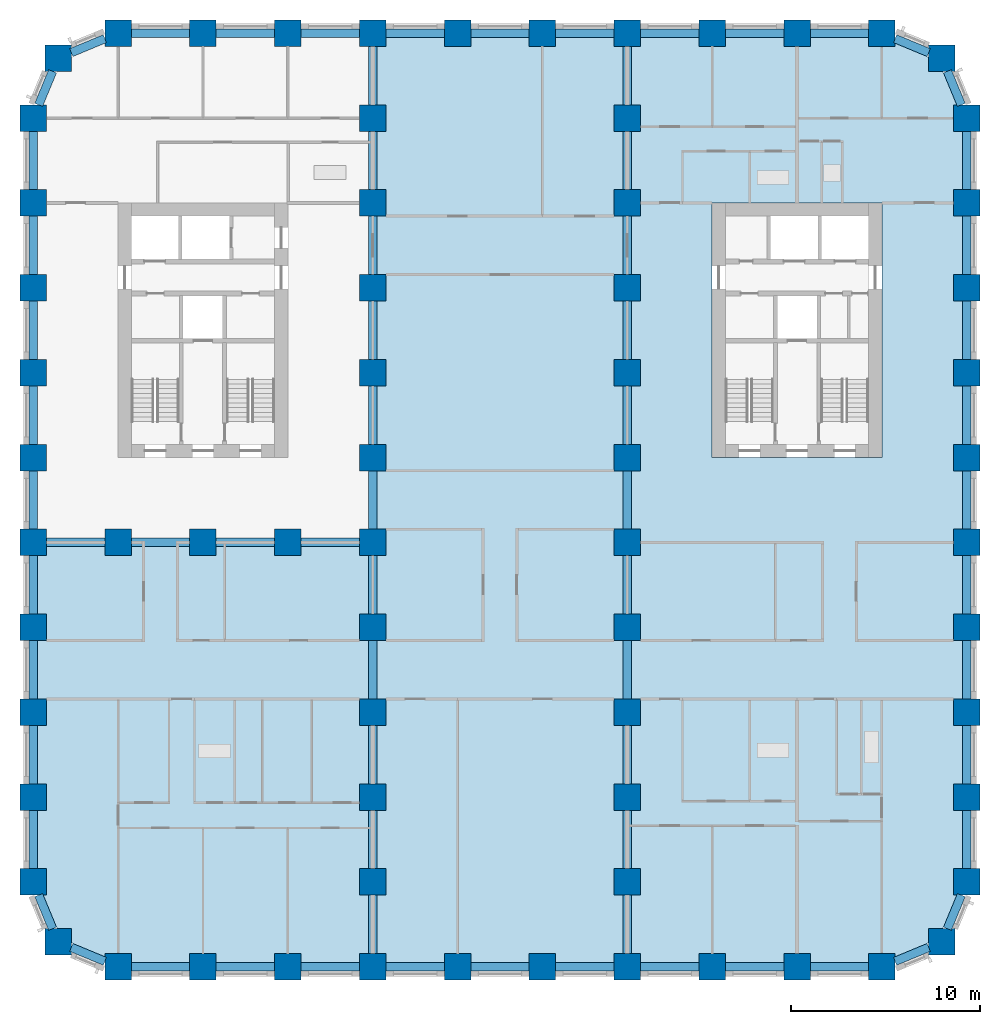
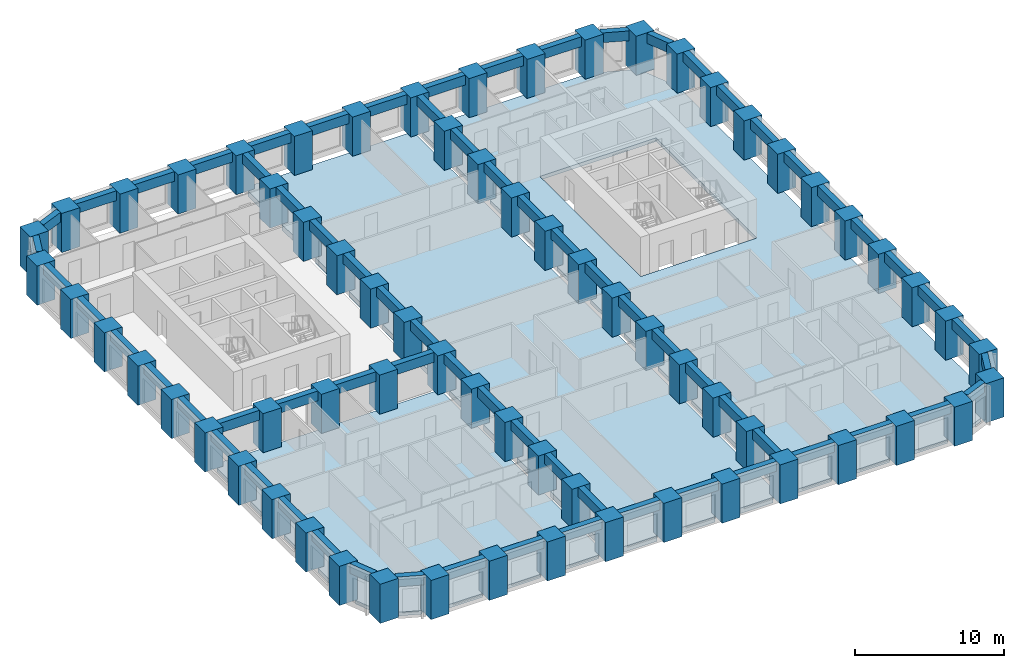
# One storey, part 1 of 12: 70 beams, 67 columns, 3 slabs.
"""IFC4 building model written with IfcOpenShell, lengths in metres."""

from ifc_helpers import new_model, si_unit, direction, frame, origin, origin_2d, place, context, subcontext, project, spatial, polyline, rectangle, outline, extrude, material, layer, layer_set, material_profile, profile_set, type_object, element, save


model = new_model("IFC4")

# Units and contexts
model_context = context("Model", 3, precision=1e-05, world=origin(), true_north=direction((0.0, 1.0)))
body_context = subcontext(model_context, "Body", "Model", "MODEL_VIEW")
ifc_project = project(units=[si_unit("LENGTHUNIT", "METRE"), si_unit("AREAUNIT", "SQUARE_METRE"), si_unit("VOLUMEUNIT", "CUBIC_METRE"), si_unit("PLANEANGLEUNIT", "RADIAN"), si_unit("MASSUNIT", "GRAM", prefix="KILO")], contexts=[model_context])

# Site, building, storey
site_placement = place(None, origin())
site = spatial("IfcSite", under=ifc_project, at=site_placement, CompositionType="ELEMENT")
building_placement = place(site_placement, origin())
building = spatial("IfcBuilding", under=site, at=building_placement, Name="Girih Gate Residences", CompositionType="ELEMENT")
storey_placement = place(building_placement, frame((0.0, 0.0, 65.60009765625)))
storey = spatial("IfcBuildingStorey", under=building, at=storey_placement, Name="L17", CompositionType="ELEMENT", Elevation=65.60009765625)

# Columns
ifc_material_1 = material(Name="Concrete C80/95", Category="concrete")
ifc_material_profile_1 = material_profile(ifc_material_1, rectangle(XDim=1.39990234375, YDim=1.39990234375, at=origin_2d()))
ifc_profile_set_1 = profile_set([ifc_material_profile_1], Name="Concrete C80/95")
column_type = type_object("IfcColumnType", Name="Pier RC 1400x1400 Concrete C80/95", PredefinedType="COLUMN", material=ifc_profile_set_1)
for number, where, z_axis, x_axis, name in (
    (1, (4.5, 0.0, 0.0), (0.0, 0.0, 1.0), (1.0, 0.0, 0.0), "Pier P2A L17"),
    (2, (9.0, 0.0, 0.0), (0.0, 0.0, 1.0), (1.0, 0.0, 0.0), "Pier P3A L17"),
    (3, (13.5, 0.0, 0.0), (0.0, 0.0, 1.0), (1.0, 0.0, 0.0), "Pier P4A L17"),
    (4, (18.0, 0.0, 0.0), (0.0, 0.0, 1.0), (1.0, 0.0, 0.0), "Pier P5A L17"),
    (5, (22.5, 0.0, 0.0), (0.0, 0.0, 1.0), (1.0, 0.0, 0.0), "Pier P6A L17"),
    (6, (27.0, 0.0, 0.0), (0.0, 0.0, 1.0), (1.0, 0.0, 0.0), "Pier P7A L17"),
    (7, (31.5, 0.0, 0.0), (0.0, 0.0, 1.0), (1.0, 0.0, 0.0), "Pier P8A L17"),
    (8, (36.0, 0.0, 0.0), (0.0, 0.0, 1.0), (1.0, 0.0, 0.0), "Pier P9A L17"),
    (9, (40.5, 0.0, 0.0), (0.0, 0.0, 1.0), (1.0, 0.0, 0.0), "Pier P10A L17"),
    (10, (45.0, 0.0, 0.0), (0.0, 0.0, 1.0), (1.0, 0.0, 0.0), "Pier P11A L17"),
    (11, (1.318115234375, 1.318115234375, 0.0), (0.0, 0.0, 1.0), (1.0, 0.0, 0.0), "Pier P1ANE L17"),
    (12, (48.181884765625, 1.318115234375, 0.0), (0.0, 0.0, 1.0), (1.0, 0.0, 0.0), "Pier P12ANW L17"),
    (13, (0.0, 4.5, 0.0), (0.0, 0.0, 1.0), (1.0, 0.0, 0.0), "Pier P1B L17"),
    (14, (18.0, 4.5, 0.0), (0.0, 0.0, 1.0), (1.0, 0.0, 0.0), "Pier P5B L17"),
    (15, (31.5, 4.5, 0.0), (0.0, 0.0, 1.0), (1.0, 0.0, 0.0), "Pier P8B L17"),
    (16, (49.5, 4.5, 0.0), (0.0, 0.0, 1.0), (1.0, 0.0, 0.0), "Pier P12B L17"),
    (17, (0.0, 9.0, 0.0), (0.0, 0.0, 1.0), (1.0, 0.0, 0.0), "Pier P1C L17"),
    (18, (18.0, 9.0, 0.0), (0.0, 0.0, 1.0), (1.0, 0.0, 0.0), "Pier P5C L17"),
    (19, (31.5, 9.0, 0.0), (0.0, 0.0, 1.0), (1.0, 0.0, 0.0), "Pier P8C L17"),
    (20, (49.5, 9.0, 0.0), (0.0, 0.0, 1.0), (1.0, 0.0, 0.0), "Pier P12C L17"),
    (21, (0.0, 13.5, 0.0), (0.0, 0.0, 1.0), (1.0, 0.0, 0.0), "Pier P1D L17"),
    (22, (18.0, 13.5, 0.0), (0.0, 0.0, 1.0), (1.0, 0.0, 0.0), "Pier P5D L17"),
    (23, (31.5, 13.5, 0.0), (0.0, 0.0, 1.0), (1.0, 0.0, 0.0), "Pier P8D L17"),
    (24, (49.5, 13.5, 0.0), (0.0, 0.0, 1.0), (1.0, 0.0, 0.0), "Pier P12D L17"),
    (25, (0.0, 18.0, 0.0), (0.0, 0.0, 1.0), (1.0, 0.0, 0.0), "Pier P1E L17"),
    (26, (18.0, 18.0, 0.0), (0.0, 0.0, 1.0), (1.0, 0.0, 0.0), "Pier P5E L17"),
    (27, (31.5, 18.0, 0.0), (0.0, 0.0, 1.0), (1.0, 0.0, 0.0), "Pier P8E L17"),
    (28, (49.5, 18.0, 0.0), (0.0, 0.0, 1.0), (1.0, 0.0, 0.0), "Pier P12E L17"),
    (29, (0.0, 22.5, 0.0), (0.0, 0.0, 1.0), (1.0, 0.0, 0.0), "Pier P1F L17"),
    (30, (4.5, 22.5, 0.0), (0.0, 0.0, 1.0), (1.0, 0.0, 0.0), "Pier P2F L17"),
    (31, (9.0, 22.5, 0.0), (0.0, 0.0, 1.0), (1.0, 0.0, 0.0), "Pier P3F L17"),
    (32, (13.5, 22.5, 0.0), (0.0, 0.0, 1.0), (1.0, 0.0, 0.0), "Pier P4F L17"),
    (33, (18.0, 22.5, 0.0), (0.0, 0.0, 1.0), (1.0, 0.0, 0.0), "Pier P5F L17"),
    (34, (31.5, 22.5, 0.0), (0.0, 0.0, 1.0), (1.0, 0.0, 0.0), "Pier P8F L17"),
    (35, (49.5, 22.5, 0.0), (0.0, 0.0, 1.0), (1.0, 0.0, 0.0), "Pier P12F L17"),
    (36, (0.0, 27.0, 0.0), (0.0, 0.0, 1.0), (1.0, 0.0, 0.0), "Pier P1G L17"),
    (37, (18.0, 27.0, 0.0), (0.0, 0.0, 1.0), (1.0, 0.0, 0.0), "Pier P5G L17"),
    (38, (31.5, 27.0, 0.0), (0.0, 0.0, 1.0), (1.0, 0.0, 0.0), "Pier P8G L17"),
    (39, (49.5, 27.0, 0.0), (0.0, 0.0, 1.0), (1.0, 0.0, 0.0), "Pier P12G L17"),
    (40, (0.0, 31.5, 0.0), (0.0, 0.0, 1.0), (1.0, 0.0, 0.0), "Pier P1H L17"),
    (41, (18.0, 31.5, 0.0), (0.0, 0.0, 1.0), (1.0, 0.0, 0.0), "Pier P5H L17"),
    (42, (31.5, 31.5, 0.0), (0.0, 0.0, 1.0), (1.0, 0.0, 0.0), "Pier P8H L17"),
    (43, (49.5, 31.5, 0.0), (0.0, 0.0, 1.0), (1.0, 0.0, 0.0), "Pier P12H L17"),
    (44, (0.0, 36.0, 0.0), (0.0, 0.0, 1.0), (1.0, 0.0, 0.0), "Pier P1I L17"),
    (45, (18.0, 36.0, 0.0), (0.0, 0.0, 1.0), (1.0, 0.0, 0.0), "Pier P5I L17"),
    (46, (31.5, 36.0, 0.0), (0.0, 0.0, 1.0), (1.0, 0.0, 0.0), "Pier P8I L17"),
    (47, (49.5, 36.0, 0.0), (0.0, 0.0, 1.0), (1.0, 0.0, 0.0), "Pier P12I L17"),
    (48, (0.0, 40.5, 0.0), (0.0, 0.0, 1.0), (1.0, 0.0, 0.0), "Pier P1J L17"),
    (49, (18.0, 40.5, 0.0), (0.0, 0.0, 1.0), (1.0, 0.0, 0.0), "Pier P5J L17"),
    (50, (31.5, 40.5, 0.0), (0.0, 0.0, 1.0), (1.0, 0.0, 0.0), "Pier P8J L17"),
    (51, (49.5, 40.5, 0.0), (0.0, 0.0, 1.0), (1.0, 0.0, 0.0), "Pier P12J L17"),
    (52, (0.0, 45.0, 0.0), (0.0, 0.0, 1.0), (1.0, 0.0, 0.0), "Pier P1K L17"),
    (53, (18.0, 45.0, 0.0), (0.0, 0.0, 1.0), (1.0, 0.0, 0.0), "Pier P5K L17"),
    (54, (31.5, 45.0, 0.0), (0.0, 0.0, 1.0), (1.0, 0.0, 0.0), "Pier P8K L17"),
    (55, (49.5, 45.0, 0.0), (0.0, 0.0, 1.0), (1.0, 0.0, 0.0), "Pier P12K L17"),
    (56, (1.318115234375, 48.181884765625, 0.0), (0.0, 0.0, 1.0), (1.0, 0.0, 0.0), "Pier P1LSE L17"),
    (57, (48.181884765625, 48.181884765625, 0.0), (0.0, 0.0, 1.0), (1.0, 0.0, 0.0), "Pier P12LSW L17"),
    (58, (4.5, 49.5, 0.0), (0.0, 0.0, 1.0), (1.0, 0.0, 0.0), "Pier P2L L17"),
    (59, (9.0, 49.5, 0.0), (0.0, 0.0, 1.0), (1.0, 0.0, 0.0), "Pier P3L L17"),
    (60, (13.5, 49.5, 0.0), (0.0, 0.0, 1.0), (1.0, 0.0, 0.0), "Pier P4L L17"),
    (61, (18.0, 49.5, 0.0), (0.0, 0.0, 1.0), (1.0, 0.0, 0.0), "Pier P5L L17"),
    (62, (22.5, 49.5, 0.0), (0.0, 0.0, 1.0), (1.0, 0.0, 0.0), "Pier P6L L17"),
    (63, (27.0, 49.5, 0.0), (0.0, 0.0, 1.0), (1.0, 0.0, 0.0), "Pier P7L L17"),
    (64, (31.5, 49.5, 0.0), (0.0, 0.0, 1.0), (1.0, 0.0, 0.0), "Pier P8L L17"),
    (65, (36.0, 49.5, 0.0), (0.0, 0.0, 1.0), (1.0, 0.0, 0.0), "Pier P9L L17"),
    (66, (40.5, 49.5, 0.0), (0.0, 0.0, 1.0), (1.0, 0.0, 0.0), "Pier P10L L17"),
    (67, (45.0, 49.5, 0.0), (0.0, 0.0, 1.0), (1.0, 0.0, 0.0), "Pier P11L L17"),
):
    element("IfcColumn", number, at=place(storey_placement, frame(where, z_axis=z_axis, x_axis=x_axis)), inside=storey, type_object=column_type, Name=name, PredefinedType="COLUMN", context=body_context, shape_type="SweptSolid", body=[
        extrude(rectangle(XDim=1.39990234375, YDim=1.39990234375, at=origin_2d()), origin(), (0.0, 0.0, 1.0), 3.199951171875),
    ])

# Beams
ifc_material_2 = material(Name="Concrete C60/75", Category="concrete")
ifc_material_profile_2 = material_profile(ifc_material_2, rectangle(XDim=0.449951171875, YDim=0.800048828125, at=origin_2d()))
ifc_profile_set_2 = profile_set([ifc_material_profile_2], Name="Concrete C60/75")
beam_type = type_object("IfcBeamType", Name="Spandrel girder RC 450x800 Concrete C60/75", PredefinedType="BEAM", material=ifc_profile_set_2)
for number, where, z_axis, x_axis, name in (
    (68, (0.2900390625, 3.800048828125, 2.7998046875), (0.382646180293, -0.923894961945, 0.0), (0.923894961945, 0.382646180293, 0.0), "Spandrel girder SP-P1B-P1ANE L17"),
    (69, (2.01806640625, 1.028076171875, 2.7998046875), (0.923894961945, -0.382646180293, 0.0), (0.382646180293, 0.923894961945, 0.0), "Spandrel girder SP-P1ANE-P2A L17"),
):
    element("IfcBeam", number, at=place(storey_placement, frame(where, z_axis=z_axis, x_axis=x_axis)), inside=storey, type_object=beam_type, Name=name, PredefinedType="BEAM", context=body_context, shape_type="SweptSolid", body=[
        extrude(rectangle(XDim=0.449951171875, YDim=0.800048828125, at=origin_2d()), origin(), (0.0, 0.0, 1.0), 1.9287109375),
    ])
for number, where, z_axis, x_axis, name in (
    (70, (5.199951171875, 0.0, 2.7998046875), (1.0, 0.0, 0.0), (0.0, 1.0, 0.0), "Spandrel girder SP-P2A-P3A L17"),
    (71, (9.699951171875, 0.0, 2.7998046875), (1.0, 0.0, 0.0), (0.0, 1.0, 0.0), "Spandrel girder SP-P3A-P4A L17"),
    (72, (14.199951171875, 0.0, 2.7998046875), (1.0, 0.0, 0.0), (0.0, 1.0, 0.0), "Spandrel girder SP-P4A-P5A L17"),
    (73, (18.699951171875, 0.0, 2.7998046875), (1.0, 0.0, 0.0), (0.0, 1.0, 0.0), "Spandrel girder SP-P5A-P6A L17"),
    (74, (23.199951171875, 0.0, 2.7998046875), (1.0, 0.0, 0.0), (0.0, 1.0, 0.0), "Spandrel girder SP-P6A-P7A L17"),
    (75, (27.699951171875, 0.0, 2.7998046875), (1.0, 0.0, 0.0), (0.0, 1.0, 0.0), "Spandrel girder SP-P7A-P8A L17"),
    (76, (32.199951171875, 0.0, 2.7998046875), (1.0, 0.0, 0.0), (0.0, 1.0, 0.0), "Spandrel girder SP-P8A-P9A L17"),
    (77, (36.699951171875, 0.0, 2.7998046875), (1.0, 0.0, 0.0), (0.0, 1.0, 0.0), "Spandrel girder SP-P9A-P10A L17"),
    (78, (41.199951171875, 0.0, 2.7998046875), (1.0, 0.0, 0.0), (0.0, 1.0, 0.0), "Spandrel girder SP-P10A-P11A L17"),
):
    element("IfcBeam", number, at=place(storey_placement, frame(where, z_axis=z_axis, x_axis=x_axis)), inside=storey, type_object=beam_type, Name=name, PredefinedType="BEAM", context=body_context, shape_type="SweptSolid", body=[
        extrude(rectangle(XDim=0.449951171875, YDim=0.800048828125, at=origin_2d()), origin(), (0.0, 0.0, 1.0), 3.10009765625),
    ])
for number, where, z_axis, x_axis, name in (
    (79, (45.699951171875, 0.2900390625, 2.7998046875), (0.923894961945, 0.382646180293, 0.0), (-0.382646180293, 0.923894961945, 0.0), "Spandrel girder SP-P11A-P12ANW L17"),
    (80, (48.471923828125, 2.01806640625, 2.7998046875), (0.382646180293, 0.923894961945, 0.0), (-0.923894961945, 0.382646180293, 0.0), "Spandrel girder SP-P12ANW-P12B L17"),
):
    element("IfcBeam", number, at=place(storey_placement, frame(where, z_axis=z_axis, x_axis=x_axis)), inside=storey, type_object=beam_type, Name=name, PredefinedType="BEAM", context=body_context, shape_type="SweptSolid", body=[
        extrude(rectangle(XDim=0.449951171875, YDim=0.800048828125, at=origin_2d()), origin(), (0.0, 0.0, 1.0), 1.9287109375),
    ])
for number, where, z_axis, x_axis, name in (
    (81, (49.5, 5.199951171875, 2.7998046875), (0.0, 1.0, 0.0), (-1.0, 0.0, 0.0), "Spandrel girder SP-P12B-P12C L17"),
    (82, (49.5, 9.699951171875, 2.7998046875), (0.0, 1.0, 0.0), (-1.0, 0.0, 0.0), "Spandrel girder SP-P12C-P12D L17"),
    (83, (49.5, 14.199951171875, 2.7998046875), (0.0, 1.0, 0.0), (-1.0, 0.0, 0.0), "Spandrel girder SP-P12D-P12E L17"),
    (84, (49.5, 18.699951171875, 2.7998046875), (0.0, 1.0, 0.0), (-1.0, 0.0, 0.0), "Spandrel girder SP-P12E-P12F L17"),
    (85, (49.5, 23.199951171875, 2.7998046875), (0.0, 1.0, 0.0), (-1.0, 0.0, 0.0), "Spandrel girder SP-P12F-P12G L17"),
    (86, (49.5, 27.699951171875, 2.7998046875), (0.0, 1.0, 0.0), (-1.0, 0.0, 0.0), "Spandrel girder SP-P12G-P12H L17"),
    (87, (49.5, 32.199951171875, 2.7998046875), (0.0, 1.0, 0.0), (-1.0, 0.0, 0.0), "Spandrel girder SP-P12H-P12I L17"),
    (88, (49.5, 36.699951171875, 2.7998046875), (0.0, 1.0, 0.0), (-1.0, 0.0, 0.0), "Spandrel girder SP-P12I-P12J L17"),
    (89, (49.5, 41.199951171875, 2.7998046875), (0.0, 1.0, 0.0), (-1.0, 0.0, 0.0), "Spandrel girder SP-P12J-P12K L17"),
):
    element("IfcBeam", number, at=place(storey_placement, frame(where, z_axis=z_axis, x_axis=x_axis)), inside=storey, type_object=beam_type, Name=name, PredefinedType="BEAM", context=body_context, shape_type="SweptSolid", body=[
        extrude(rectangle(XDim=0.449951171875, YDim=0.800048828125, at=origin_2d()), origin(), (0.0, 0.0, 1.0), 3.10009765625),
    ])
for number, where, z_axis, x_axis, name in (
    (90, (49.2099609375, 45.699951171875, 2.7998046875), (-0.382646180293, 0.923894961945, 0.0), (-0.923894961945, -0.382646180293, 0.0), "Spandrel girder SP-P12K-P12LSW L17"),
    (91, (47.48193359375, 48.471923828125, 2.7998046875), (-0.923894961945, 0.382646180293, 0.0), (-0.382646180293, -0.923894961945, 0.0), "Spandrel girder SP-P12LSW-P11L L17"),
):
    element("IfcBeam", number, at=place(storey_placement, frame(where, z_axis=z_axis, x_axis=x_axis)), inside=storey, type_object=beam_type, Name=name, PredefinedType="BEAM", context=body_context, shape_type="SweptSolid", body=[
        extrude(rectangle(XDim=0.449951171875, YDim=0.800048828125, at=origin_2d()), origin(), (0.0, 0.0, 1.0), 1.9287109375),
    ])
for number, where, z_axis, x_axis, name in (
    (92, (44.300048828125, 49.5, 2.7998046875), (-1.0, 0.0, 0.0), (0.0, -1.0, 0.0), "Spandrel girder SP-P11L-P10L L17"),
    (93, (39.800048828125, 49.5, 2.7998046875), (-1.0, 0.0, 0.0), (0.0, -1.0, 0.0), "Spandrel girder SP-P10L-P9L L17"),
    (94, (35.300048828125, 49.5, 2.7998046875), (-1.0, 0.0, 0.0), (0.0, -1.0, 0.0), "Spandrel girder SP-P9L-P8L L17"),
    (95, (30.800048828125, 49.5, 2.7998046875), (-1.0, 0.0, 0.0), (0.0, -1.0, 0.0), "Spandrel girder SP-P8L-P7L L17"),
    (96, (26.300048828125, 49.5, 2.7998046875), (-1.0, 0.0, 0.0), (0.0, -1.0, 0.0), "Spandrel girder SP-P7L-P6L L17"),
    (97, (21.800048828125, 49.5, 2.7998046875), (-1.0, 0.0, 0.0), (0.0, -1.0, 0.0), "Spandrel girder SP-P6L-P5L L17"),
    (98, (17.300048828125, 49.5, 2.7998046875), (-1.0, 0.0, 0.0), (0.0, -1.0, 0.0), "Spandrel girder SP-P5L-P4L L17"),
    (99, (12.800048828125, 49.5, 2.7998046875), (-1.0, 0.0, 0.0), (0.0, -1.0, 0.0), "Spandrel girder SP-P4L-P3L L17"),
    (100, (8.300048828125, 49.5, 2.7998046875), (-1.0, 0.0, 0.0), (0.0, -1.0, 0.0), "Spandrel girder SP-P3L-P2L L17"),
):
    element("IfcBeam", number, at=place(storey_placement, frame(where, z_axis=z_axis, x_axis=x_axis)), inside=storey, type_object=beam_type, Name=name, PredefinedType="BEAM", context=body_context, shape_type="SweptSolid", body=[
        extrude(rectangle(XDim=0.449951171875, YDim=0.800048828125, at=origin_2d()), origin(), (0.0, 0.0, 1.0), 3.10009765625),
    ])
for number, where, z_axis, x_axis, name in (
    (101, (3.800048828125, 49.2099609375, 2.7998046875), (-0.923894961945, -0.382646180293, 0.0), (0.382646180293, -0.923894961945, 0.0), "Spandrel girder SP-P2L-P1LSE L17"),
    (102, (1.028076171875, 47.48193359375, 2.7998046875), (-0.382646180293, -0.923894961945, 0.0), (0.923894961945, -0.382646180293, 0.0), "Spandrel girder SP-P1LSE-P1K L17"),
):
    element("IfcBeam", number, at=place(storey_placement, frame(where, z_axis=z_axis, x_axis=x_axis)), inside=storey, type_object=beam_type, Name=name, PredefinedType="BEAM", context=body_context, shape_type="SweptSolid", body=[
        extrude(rectangle(XDim=0.449951171875, YDim=0.800048828125, at=origin_2d()), origin(), (0.0, 0.0, 1.0), 1.9287109375),
    ])
for number, where, z_axis, x_axis, name in (
    (103, (0.0, 44.300048828125, 2.7998046875), (0.0, -1.0, 0.0), (1.0, 0.0, 0.0), "Spandrel girder SP-P1K-P1J L17"),
    (104, (0.0, 39.800048828125, 2.7998046875), (0.0, -1.0, 0.0), (1.0, 0.0, 0.0), "Spandrel girder SP-P1J-P1I L17"),
    (105, (0.0, 35.300048828125, 2.7998046875), (0.0, -1.0, 0.0), (1.0, 0.0, 0.0), "Spandrel girder SP-P1I-P1H L17"),
    (106, (0.0, 30.800048828125, 2.7998046875), (0.0, -1.0, 0.0), (1.0, 0.0, 0.0), "Spandrel girder SP-P1H-P1G L17"),
    (107, (0.0, 26.300048828125, 2.7998046875), (0.0, -1.0, 0.0), (1.0, 0.0, 0.0), "Spandrel girder SP-P1G-P1F L17"),
    (108, (0.0, 21.800048828125, 2.7998046875), (0.0, -1.0, 0.0), (1.0, 0.0, 0.0), "Spandrel girder SP-P1F-P1E L17"),
    (109, (0.0, 17.300048828125, 2.7998046875), (0.0, -1.0, 0.0), (1.0, 0.0, 0.0), "Spandrel girder SP-P1E-P1D L17"),
    (110, (0.0, 12.800048828125, 2.7998046875), (0.0, -1.0, 0.0), (1.0, 0.0, 0.0), "Spandrel girder SP-P1D-P1C L17"),
    (111, (0.0, 8.300048828125, 2.7998046875), (0.0, -1.0, 0.0), (1.0, 0.0, 0.0), "Spandrel girder SP-P1C-P1B L17"),
    (112, (18.0, 0.699951171875, 2.7998046875), (0.0, 1.0, 0.0), (-1.0, 0.0, 0.0), "Spandrel girder SP-P5A-P5B L17"),
    (113, (18.0, 5.199951171875, 2.7998046875), (0.0, 1.0, 0.0), (-1.0, 0.0, 0.0), "Spandrel girder SP-P5B-P5C L17"),
    (114, (18.0, 9.699951171875, 2.7998046875), (0.0, 1.0, 0.0), (-1.0, 0.0, 0.0), "Spandrel girder SP-P5C-P5D L17"),
    (115, (18.0, 14.199951171875, 2.7998046875), (0.0, 1.0, 0.0), (-1.0, 0.0, 0.0), "Spandrel girder SP-P5D-P5E L17"),
    (116, (18.0, 18.699951171875, 2.7998046875), (0.0, 1.0, 0.0), (-1.0, 0.0, 0.0), "Spandrel girder SP-P5E-P5F L17"),
    (117, (18.0, 23.199951171875, 2.7998046875), (0.0, 1.0, 0.0), (-1.0, 0.0, 0.0), "Spandrel girder SP-P5F-P5G L17"),
    (118, (18.0, 27.699951171875, 2.7998046875), (0.0, 1.0, 0.0), (-1.0, 0.0, 0.0), "Spandrel girder SP-P5G-P5H L17"),
    (119, (18.0, 32.199951171875, 2.7998046875), (0.0, 1.0, 0.0), (-1.0, 0.0, 0.0), "Spandrel girder SP-P5H-P5I L17"),
    (120, (18.0, 36.699951171875, 2.7998046875), (0.0, 1.0, 0.0), (-1.0, 0.0, 0.0), "Spandrel girder SP-P5I-P5J L17"),
    (121, (18.0, 41.199951171875, 2.7998046875), (0.0, 1.0, 0.0), (-1.0, 0.0, 0.0), "Spandrel girder SP-P5J-P5K L17"),
    (122, (18.0, 45.699951171875, 2.7998046875), (0.0, 1.0, 0.0), (-1.0, 0.0, 0.0), "Spandrel girder SP-P5K-P5L L17"),
    (123, (31.5, 0.699951171875, 2.7998046875), (0.0, 1.0, 0.0), (-1.0, 0.0, 0.0), "Spandrel girder SP-P8A-P8B L17"),
    (124, (31.5, 5.199951171875, 2.7998046875), (0.0, 1.0, 0.0), (-1.0, 0.0, 0.0), "Spandrel girder SP-P8B-P8C L17"),
    (125, (31.5, 9.699951171875, 2.7998046875), (0.0, 1.0, 0.0), (-1.0, 0.0, 0.0), "Spandrel girder SP-P8C-P8D L17"),
    (126, (31.5, 14.199951171875, 2.7998046875), (0.0, 1.0, 0.0), (-1.0, 0.0, 0.0), "Spandrel girder SP-P8D-P8E L17"),
    (127, (31.5, 18.699951171875, 2.7998046875), (0.0, 1.0, 0.0), (-1.0, 0.0, 0.0), "Spandrel girder SP-P8E-P8F L17"),
    (128, (31.5, 23.199951171875, 2.7998046875), (0.0, 1.0, 0.0), (-1.0, 0.0, 0.0), "Spandrel girder SP-P8F-P8G L17"),
    (129, (31.5, 27.699951171875, 2.7998046875), (0.0, 1.0, 0.0), (-1.0, 0.0, 0.0), "Spandrel girder SP-P8G-P8H L17"),
    (130, (31.5, 32.199951171875, 2.7998046875), (0.0, 1.0, 0.0), (-1.0, 0.0, 0.0), "Spandrel girder SP-P8H-P8I L17"),
    (131, (31.5, 36.699951171875, 2.7998046875), (0.0, 1.0, 0.0), (-1.0, 0.0, 0.0), "Spandrel girder SP-P8I-P8J L17"),
    (132, (31.5, 41.199951171875, 2.7998046875), (0.0, 1.0, 0.0), (-1.0, 0.0, 0.0), "Spandrel girder SP-P8J-P8K L17"),
    (133, (31.5, 45.699951171875, 2.7998046875), (0.0, 1.0, 0.0), (-1.0, 0.0, 0.0), "Spandrel girder SP-P8K-P8L L17"),
    (134, (0.699951171875, 22.5, 2.7998046875), (1.0, 0.0, 0.0), (0.0, 1.0, 0.0), "Spandrel girder SP-P1F-P2F L17"),
    (135, (5.199951171875, 22.5, 2.7998046875), (1.0, 0.0, 0.0), (0.0, 1.0, 0.0), "Spandrel girder SP-P2F-P3F L17"),
    (136, (9.699951171875, 22.5, 2.7998046875), (1.0, 0.0, 0.0), (0.0, 1.0, 0.0), "Spandrel girder SP-P3F-P4F L17"),
    (137, (14.199951171875, 22.5, 2.7998046875), (1.0, 0.0, 0.0), (0.0, 1.0, 0.0), "Spandrel girder SP-P4F-P5F L17"),
):
    element("IfcBeam", number, at=place(storey_placement, frame(where, z_axis=z_axis, x_axis=x_axis)), inside=storey, type_object=beam_type, Name=name, PredefinedType="BEAM", context=body_context, shape_type="SweptSolid", body=[
        extrude(rectangle(XDim=0.449951171875, YDim=0.800048828125, at=origin_2d()), origin(), (0.0, 0.0, 1.0), 3.10009765625),
    ])

# Slabs
ifc_material_3 = material(Name="Concrete C40/50", Category="concrete")
ifc_layer_1 = layer(ifc_material_3, 0.300048828125)
ifc_layer_set_1 = layer_set([ifc_layer_1], Name="Floor slab PT 300 Concrete C40/50")
slab_type_1 = type_object("IfcSlabType", Name="Floor slab PT 300 Concrete C40/50", PredefinedType="FLOOR", material=ifc_layer_set_1)
slab_1_placement = place(storey_placement, frame((0.0, 0.0, -0.300048828125)))
element("IfcSlab", 138, at=slab_1_placement, inside=storey, type_object=slab_type_1, Name="Floor slab L17 0", PredefinedType="FLOOR", context=body_context, shape_type="SweptSolid", body=[
    extrude(outline(polyline([(0.22509765625, 8.300048828125), (0.22509765625, 5.199951171875), (0.699951171875, 5.199951171875), (0.699951171875, 3.800048828125), (0.533447265625, 3.800048828125), (1.271728515625, 2.01806640625), (2.01806640625, 2.01806640625), (2.01806640625, 1.271728515625), (3.800048828125, 0.533447265625), (3.800048828125, 0.699951171875), (5.199951171875, 0.699951171875), (5.199951171875, 0.22509765625), (8.300048828125, 0.22509765625), (8.300048828125, 0.699951171875), (9.699951171875, 0.699951171875), (9.699951171875, 0.22509765625), (12.800048828125, 0.22509765625), (12.800048828125, 0.699951171875), (14.199951171875, 0.699951171875), (14.199951171875, 0.22509765625), (17.300048828125, 0.22509765625), (17.300048828125, 0.699951171875), (17.77490234375, 0.699951171875), (17.77490234375, 3.800048828125), (17.300048828125, 3.800048828125), (17.300048828125, 5.199951171875), (17.77490234375, 5.199951171875), (17.77490234375, 8.300048828125), (17.300048828125, 8.300048828125), (17.300048828125, 9.699951171875), (17.77490234375, 9.699951171875), (17.77490234375, 12.800048828125), (17.300048828125, 12.800048828125), (17.300048828125, 14.199951171875), (17.77490234375, 14.199951171875), (17.77490234375, 17.300048828125), (17.300048828125, 17.300048828125), (17.300048828125, 18.699951171875), (17.77490234375, 18.699951171875), (17.77490234375, 21.800048828125), (17.300048828125, 21.800048828125), (17.300048828125, 22.27490234375), (14.199951171875, 22.27490234375), (14.199951171875, 21.800048828125), (12.800048828125, 21.800048828125), (12.800048828125, 22.27490234375), (9.699951171875, 22.27490234375), (9.699951171875, 21.800048828125), (8.300048828125, 21.800048828125), (8.300048828125, 22.27490234375), (5.199951171875, 22.27490234375), (5.199951171875, 21.800048828125), (3.800048828125, 21.800048828125), (3.800048828125, 22.27490234375), (0.699951171875, 22.27490234375), (0.699951171875, 21.800048828125), (0.22509765625, 21.800048828125), (0.22509765625, 18.699951171875), (0.699951171875, 18.699951171875), (0.699951171875, 17.300048828125), (0.22509765625, 17.300048828125), (0.22509765625, 14.199951171875), (0.699951171875, 14.199951171875), (0.699951171875, 12.800048828125), (0.22509765625, 12.800048828125), (0.22509765625, 9.699951171875), (0.699951171875, 9.699951171875), (0.699951171875, 8.300048828125), (0.22509765625, 8.300048828125)])), origin(), (0.0, 0.0, 1.0), 0.300048828125),
])
slab_2_placement = place(storey_placement, frame((0.0, 0.0, -0.300048828125)))
element("IfcSlab", 139, at=slab_2_placement, inside=storey, type_object=slab_type_1, Name="Floor slab L17 1", PredefinedType="FLOOR", context=body_context, shape_type="SweptSolid", body=[
    extrude(outline(polyline([(35.300048828125, 49.27490234375), (32.199951171875, 49.27490234375), (32.199951171875, 48.800048828125), (31.72509765625, 48.800048828125), (31.72509765625, 45.699951171875), (32.199951171875, 45.699951171875), (32.199951171875, 44.300048828125), (31.72509765625, 44.300048828125), (31.72509765625, 41.199951171875), (32.199951171875, 41.199951171875), (32.199951171875, 39.800048828125), (31.72509765625, 39.800048828125), (31.72509765625, 36.699951171875), (32.199951171875, 36.699951171875), (32.199951171875, 35.300048828125), (31.72509765625, 35.300048828125), (31.72509765625, 32.199951171875), (32.199951171875, 32.199951171875), (32.199951171875, 30.800048828125), (31.72509765625, 30.800048828125), (31.72509765625, 27.699951171875), (32.199951171875, 27.699951171875), (32.199951171875, 26.300048828125), (31.72509765625, 26.300048828125), (31.72509765625, 23.199951171875), (32.199951171875, 23.199951171875), (32.199951171875, 21.800048828125), (31.72509765625, 21.800048828125), (31.72509765625, 18.699951171875), (32.199951171875, 18.699951171875), (32.199951171875, 17.300048828125), (31.72509765625, 17.300048828125), (31.72509765625, 14.199951171875), (32.199951171875, 14.199951171875), (32.199951171875, 12.800048828125), (31.72509765625, 12.800048828125), (31.72509765625, 9.699951171875), (32.199951171875, 9.699951171875), (32.199951171875, 8.300048828125), (31.72509765625, 8.300048828125), (31.72509765625, 5.199951171875), (32.199951171875, 5.199951171875), (32.199951171875, 3.800048828125), (31.72509765625, 3.800048828125), (31.72509765625, 0.699951171875), (32.199951171875, 0.699951171875), (32.199951171875, 0.22509765625), (35.300048828125, 0.22509765625), (35.300048828125, 0.699951171875), (36.699951171875, 0.699951171875), (36.699951171875, 0.22509765625), (39.800048828125, 0.22509765625), (39.800048828125, 0.699951171875), (41.199951171875, 0.699951171875), (41.199951171875, 0.22509765625), (44.300048828125, 0.22509765625), (44.300048828125, 0.699951171875), (45.699951171875, 0.699951171875), (45.699951171875, 0.533447265625), (47.48193359375, 1.271728515625), (47.48193359375, 2.01806640625), (48.228271484375, 2.01806640625), (48.966552734375, 3.800048828125), (48.800048828125, 3.800048828125), (48.800048828125, 5.199951171875), (49.27490234375, 5.199951171875), (49.27490234375, 8.300048828125), (48.800048828125, 8.300048828125), (48.800048828125, 9.699951171875), (49.27490234375, 9.699951171875), (49.27490234375, 12.800048828125), (48.800048828125, 12.800048828125), (48.800048828125, 14.199951171875), (49.27490234375, 14.199951171875), (49.27490234375, 17.300048828125), (48.800048828125, 17.300048828125), (48.800048828125, 18.699951171875), (49.27490234375, 18.699951171875), (49.27490234375, 21.800048828125), (48.800048828125, 21.800048828125), (48.800048828125, 23.199951171875), (49.27490234375, 23.199951171875), (49.27490234375, 26.300048828125), (48.800048828125, 26.300048828125), (48.800048828125, 27.699951171875), (49.27490234375, 27.699951171875), (49.27490234375, 30.800048828125), (48.800048828125, 30.800048828125), (48.800048828125, 32.199951171875), (49.27490234375, 32.199951171875), (49.27490234375, 35.300048828125), (48.800048828125, 35.300048828125), (48.800048828125, 36.699951171875), (49.27490234375, 36.699951171875), (49.27490234375, 39.800048828125), (48.800048828125, 39.800048828125), (48.800048828125, 41.199951171875), (49.27490234375, 41.199951171875), (49.27490234375, 44.300048828125), (48.800048828125, 44.300048828125), (48.800048828125, 45.699951171875), (48.966552734375, 45.699951171875), (48.228271484375, 47.48193359375), (47.48193359375, 47.48193359375), (47.48193359375, 48.228271484375), (45.699951171875, 48.966552734375), (45.699951171875, 48.800048828125), (44.300048828125, 48.800048828125), (44.300048828125, 49.27490234375), (41.199951171875, 49.27490234375), (41.199951171875, 48.800048828125), (39.800048828125, 48.800048828125), (39.800048828125, 49.27490234375), (36.699951171875, 49.27490234375), (36.699951171875, 48.800048828125), (35.300048828125, 48.800048828125), (35.300048828125, 49.27490234375)]), holes=[polyline([(45.0, 40.5), (45.0, 27.0), (36.0, 27.0), (36.0, 40.5), (45.0, 40.5)])]), origin(), (0.0, 0.0, 1.0), 0.300048828125),
])
ifc_layer_2 = layer(ifc_material_3, 0.449951171875)
ifc_layer_set_2 = layer_set([ifc_layer_2], Name="Floor slab PT 450 Concrete C40/50")
slab_type_2 = type_object("IfcSlabType", Name="Floor slab PT 450 Concrete C40/50", PredefinedType="FLOOR", material=ifc_layer_set_2)
slab_3_placement = place(storey_placement, frame((0.0, 0.0, -0.4501953125)))
element("IfcSlab", 140, at=slab_3_placement, inside=storey, type_object=slab_type_2, Name="Floor slab L17 2", PredefinedType="FLOOR", context=body_context, shape_type="SweptSolid", body=[
    extrude(outline(polyline([(21.800048828125, 49.27490234375), (18.699951171875, 49.27490234375), (18.699951171875, 48.800048828125), (18.22509765625, 48.800048828125), (18.22509765625, 45.699951171875), (18.699951171875, 45.699951171875), (18.699951171875, 44.300048828125), (18.22509765625, 44.300048828125), (18.22509765625, 41.199951171875), (18.699951171875, 41.199951171875), (18.699951171875, 39.800048828125), (18.22509765625, 39.800048828125), (18.22509765625, 36.699951171875), (18.699951171875, 36.699951171875), (18.699951171875, 35.300048828125), (18.22509765625, 35.300048828125), (18.22509765625, 32.199951171875), (18.699951171875, 32.199951171875), (18.699951171875, 30.800048828125), (18.22509765625, 30.800048828125), (18.22509765625, 27.699951171875), (18.699951171875, 27.699951171875), (18.699951171875, 26.300048828125), (18.22509765625, 26.300048828125), (18.22509765625, 23.199951171875), (18.699951171875, 23.199951171875), (18.699951171875, 21.800048828125), (18.22509765625, 21.800048828125), (18.22509765625, 18.699951171875), (18.699951171875, 18.699951171875), (18.699951171875, 17.300048828125), (18.22509765625, 17.300048828125), (18.22509765625, 14.199951171875), (18.699951171875, 14.199951171875), (18.699951171875, 12.800048828125), (18.22509765625, 12.800048828125), (18.22509765625, 9.699951171875), (18.699951171875, 9.699951171875), (18.699951171875, 8.300048828125), (18.22509765625, 8.300048828125), (18.22509765625, 5.199951171875), (18.699951171875, 5.199951171875), (18.699951171875, 3.800048828125), (18.22509765625, 3.800048828125), (18.22509765625, 0.699951171875), (18.699951171875, 0.699951171875), (18.699951171875, 0.22509765625), (21.800048828125, 0.22509765625), (21.800048828125, 0.699951171875), (23.199951171875, 0.699951171875), (23.199951171875, 0.22509765625), (26.300048828125, 0.22509765625), (26.300048828125, 0.699951171875), (27.699951171875, 0.699951171875), (27.699951171875, 0.22509765625), (30.800048828125, 0.22509765625), (30.800048828125, 0.699951171875), (31.27490234375, 0.699951171875), (31.27490234375, 3.800048828125), (30.800048828125, 3.800048828125), (30.800048828125, 5.199951171875), (31.27490234375, 5.199951171875), (31.27490234375, 8.300048828125), (30.800048828125, 8.300048828125), (30.800048828125, 9.699951171875), (31.27490234375, 9.699951171875), (31.27490234375, 12.800048828125), (30.800048828125, 12.800048828125), (30.800048828125, 14.199951171875), (31.27490234375, 14.199951171875), (31.27490234375, 17.300048828125), (30.800048828125, 17.300048828125), (30.800048828125, 18.699951171875), (31.27490234375, 18.699951171875), (31.27490234375, 21.800048828125), (30.800048828125, 21.800048828125), (30.800048828125, 23.199951171875), (31.27490234375, 23.199951171875), (31.27490234375, 26.300048828125), (30.800048828125, 26.300048828125), (30.800048828125, 27.699951171875), (31.27490234375, 27.699951171875), (31.27490234375, 30.800048828125), (30.800048828125, 30.800048828125), (30.800048828125, 32.199951171875), (31.27490234375, 32.199951171875), (31.27490234375, 35.300048828125), (30.800048828125, 35.300048828125), (30.800048828125, 36.699951171875), (31.27490234375, 36.699951171875), (31.27490234375, 39.800048828125), (30.800048828125, 39.800048828125), (30.800048828125, 41.199951171875), (31.27490234375, 41.199951171875), (31.27490234375, 44.300048828125), (30.800048828125, 44.300048828125), (30.800048828125, 45.699951171875), (31.27490234375, 45.699951171875), (31.27490234375, 48.800048828125), (30.800048828125, 48.800048828125), (30.800048828125, 49.27490234375), (27.699951171875, 49.27490234375), (27.699951171875, 48.800048828125), (26.300048828125, 48.800048828125), (26.300048828125, 49.27490234375), (23.199951171875, 49.27490234375), (23.199951171875, 48.800048828125), (21.800048828125, 48.800048828125), (21.800048828125, 49.27490234375)])), origin(), (0.0, 0.0, 1.0), 0.4501953125),
])

save(model, "model.ifc")
